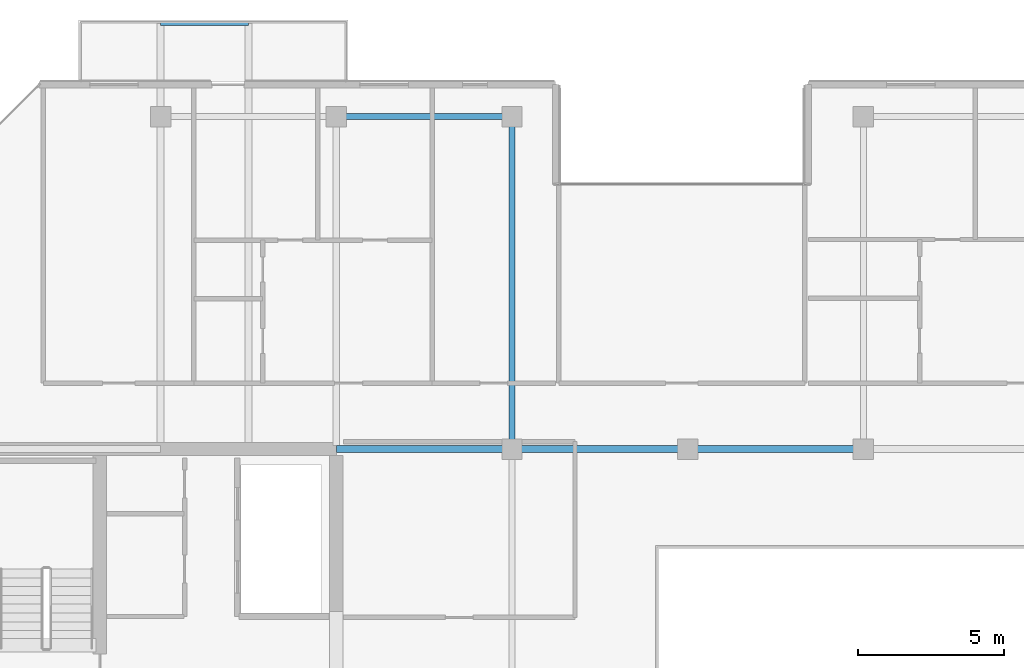
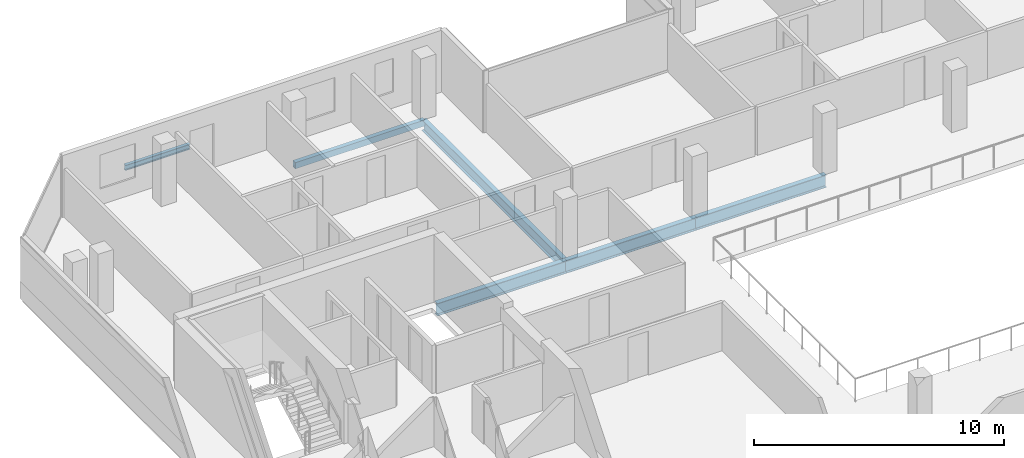
# One storey, part 7 of 24: 6 beams.
"""IFC4 building model written with IfcOpenShell, lengths in metres."""

from ifc_helpers import new_model, si_unit, direction, frame, origin, origin_2d, place, context, subcontext, project, spatial, hollow_rectangle, i_section, extrude, material, material_profile, profile_set, type_object, element, save


model = new_model("IFC4")

# Units and contexts
model_context = context("Model", 3, precision=1e-05, world=origin(), true_north=direction((0.0, 1.0)))
body_context = subcontext(model_context, "Body", "Model", "MODEL_VIEW")
ifc_project = project(units=[si_unit("LENGTHUNIT", "METRE"), si_unit("AREAUNIT", "SQUARE_METRE"), si_unit("VOLUMEUNIT", "CUBIC_METRE"), si_unit("PLANEANGLEUNIT", "RADIAN"), si_unit("MASSUNIT", "GRAM", prefix="KILO")], contexts=[model_context])

# Site, building, storey
site_placement = place(None, origin())
site = spatial("IfcSite", under=ifc_project, at=site_placement, CompositionType="ELEMENT")
building_placement = place(site_placement, origin())
building = spatial("IfcBuilding", under=site, at=building_placement, Name="Tanjung Sevakor Pilgrim Tower", CompositionType="ELEMENT")
storey_placement = place(building_placement, frame((0.0, 0.0, 226.050048828125)))
storey = spatial("IfcBuildingStorey", under=building, at=storey_placement, Name="L63", CompositionType="ELEMENT", Elevation=226.050048828125)

# Beams
ifc_material_1 = material(Name="Steel S355J2", Category="steel")
ifc_material_profile_1 = material_profile(ifc_material_1, i_section(OverallWidth=0.22900390625, OverallDepth=0.6123046875, WebThickness=0.011962890625, FlangeThickness=0.01953125, FilletRadius=0.0126953125, at=origin_2d()))
ifc_profile_set_1 = profile_set([ifc_material_profile_1], Name="Steel S355J2")
beam_type_1 = type_object("IfcBeamType", Name="BM-B-G4-UB_610x229x125", PredefinedType="BEAM", material=ifc_profile_set_1)
for number, where, z_axis, x_axis, name in (
    (1, (36.0, 42.60009765625, -0.526123046875), (1.0, 0.0, 0.0), (0.0, 1.0, 0.0), "L63 Primary Floor Girder MAIN Y426-02"),
    (2, (42.0, 42.60009765625, -0.526123046875), (1.0, 0.0, 0.0), (0.0, 1.0, 0.0), "L63 Primary Floor Girder MAIN Y426-03"),
    (3, (48.0, 42.60009765625, -0.526123046875), (1.0, 0.0, 0.0), (0.0, 1.0, 0.0), "L63 Primary Floor Girder MAIN Y426-04"),
):
    element("IfcBeam", number, at=place(storey_placement, frame(where, z_axis=z_axis, x_axis=x_axis)), inside=storey, type_object=beam_type_1, Name=name, PredefinedType="BEAM", context=body_context, shape_type="SweptSolid", body=[
        extrude(i_section(OverallWidth=0.22900390625, OverallDepth=0.6123046875, WebThickness=0.011962890625, FlangeThickness=0.01953125, FilletRadius=0.0126953125, at=origin_2d()), origin(), (0.0, 0.0, 1.0), 6.0),
    ])
ifc_material_2 = material(Name="Steel S355J2", Category="steel")
ifc_material_profile_2 = material_profile(ifc_material_2, i_section(OverallWidth=0.2119140625, OverallDepth=0.54443359375, WebThickness=0.0126953125, FlangeThickness=0.021240234375, FilletRadius=0.0126953125, at=origin_2d()))
ifc_profile_set_2 = profile_set([ifc_material_profile_2], Name="Steel S355J2")
beam_type_2 = type_object("IfcBeamType", Name="BM-B-G5-UB_533x210x122", PredefinedType="BEAM", material=ifc_profile_set_2)
beam_1_placement = place(storey_placement, frame((42.0, 42.60009765625, -0.492431640625), z_axis=(0.0, 1.0, 0.0), x_axis=(-1.0, 0.0, 0.0)))
element("IfcBeam", 4, at=beam_1_placement, inside=storey, type_object=beam_type_2, Name="L63 MAIN Girder 005", PredefinedType="BEAM", context=body_context, shape_type="SweptSolid", body=[
    extrude(i_section(OverallWidth=0.2119140625, OverallDepth=0.54443359375, WebThickness=0.0126953125, FlangeThickness=0.021240234375, FilletRadius=0.0126953125, at=origin_2d()), origin(), (0.0, 0.0, 1.0), 11.349853515625),
])
ifc_material_3 = material(Name="Steel S355J2", Category="steel")
ifc_material_profile_3 = material_profile(ifc_material_3, i_section(OverallWidth=0.146484375, OverallDepth=0.256103515625, WebThickness=0.00634765625, FlangeThickness=0.010986328125, FilletRadius=0.007568359375, at=origin_2d()))
ifc_profile_set_3 = profile_set([ifc_material_profile_3], Name="Steel S355J2")
beam_type_3 = type_object("IfcBeamType", Name="BM-B-J6-UB_254x146x37", PredefinedType="JOIST", material=ifc_profile_set_3)
beam_2_placement = place(storey_placement, frame((30.0, 57.1298828125, -0.328125), z_axis=(1.0, 0.0, 0.0), x_axis=(0.0, 1.0, 0.0)))
element("IfcBeam", 5, at=beam_2_placement, inside=storey, type_object=beam_type_3, Name="L63 Balcony Rim Tie MAIN-N1", PredefinedType="JOIST", context=body_context, shape_type="SweptSolid", body=[
    extrude(i_section(OverallWidth=0.146484375, OverallDepth=0.256103515625, WebThickness=0.00634765625, FlangeThickness=0.010986328125, FilletRadius=0.007568359375, at=origin_2d()), origin(), (0.0, 0.0, 1.0), 3.0),
])
ifc_material_4 = material(Name="Steel S355J2", Category="steel")
ifc_material_profile_4 = material_profile(ifc_material_4, hollow_rectangle(XDim=0.199951171875, YDim=0.300048828125, WallThickness=0.012451171875, at=origin_2d()))
ifc_profile_set_4 = profile_set([ifc_material_profile_4], Name="Steel S355J2")
beam_type_4 = type_object("IfcBeamType", Name="BM-B-SP3-RHS_300x200x12.5", PredefinedType="SPANDREL", material=ifc_profile_set_4)
beam_3_placement = place(storey_placement, frame((36.0, 53.949951171875, -0.3701171875), z_axis=(1.0, 0.0, 0.0), x_axis=(0.0, 1.0, 0.0)))
element("IfcBeam", 6, at=beam_3_placement, inside=storey, type_object=beam_type_4, Name="L63 Spandrel MAIN N-04", PredefinedType="SPANDREL", context=body_context, shape_type="SweptSolid", body=[
    extrude(hollow_rectangle(XDim=0.199951171875, YDim=0.300048828125, WallThickness=0.012451171875, at=origin_2d()), origin(), (0.0, 0.0, 1.0), 6.0),
])

save(model, "model.ifc")
